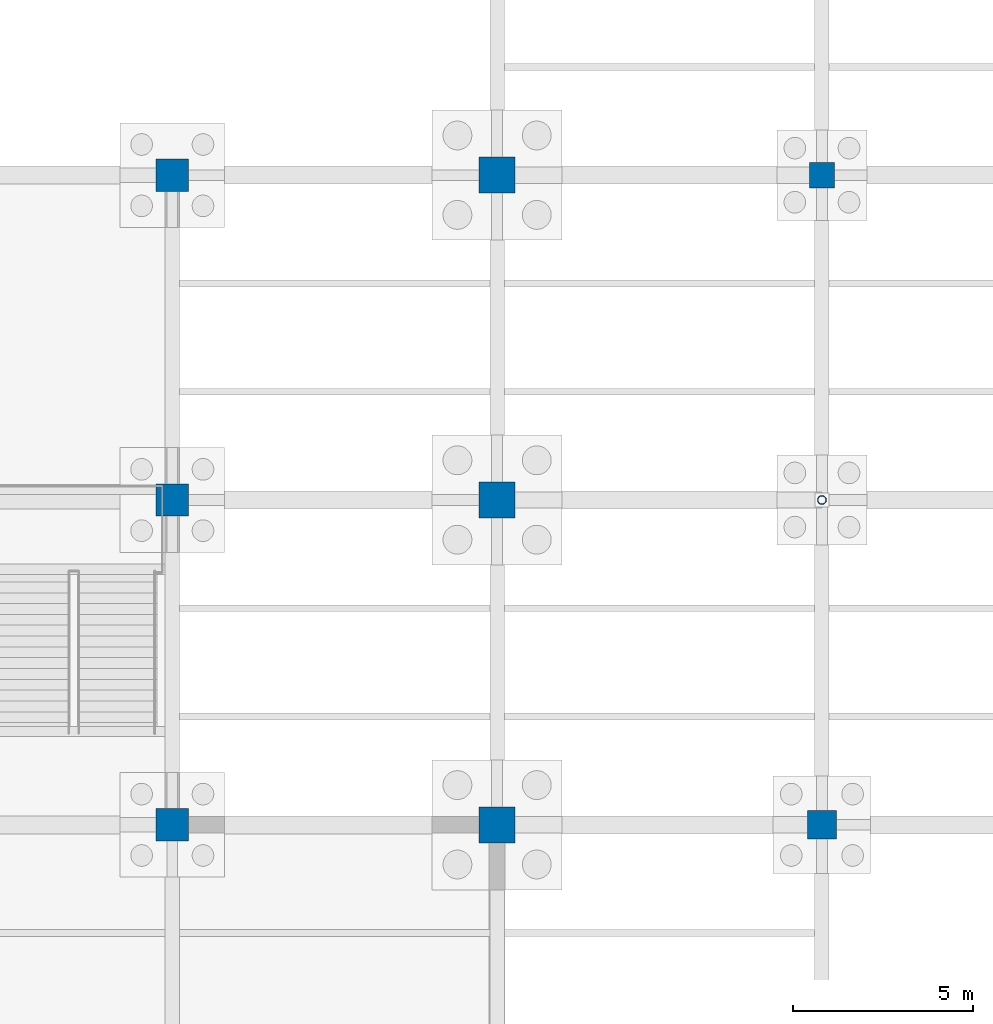
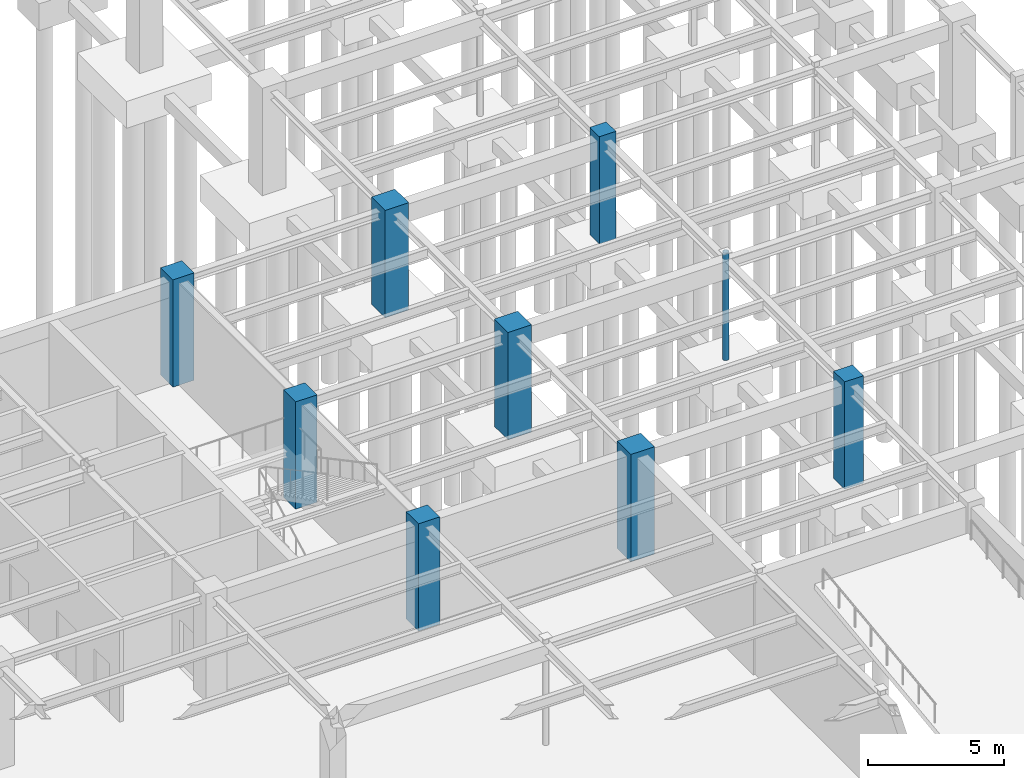
# One storey, part 30 of 49: 9 columns.
"""IFC4 building model written with IfcOpenShell, lengths in metres."""

from ifc_helpers import new_model, si_unit, direction, frame, origin, origin_2d, place, context, subcontext, project, spatial, rectangle, hollow_circle, extrude, material, material_profile, profile_set, type_object, element, save


model = new_model("IFC4")

# Units and contexts
model_context = context("Model", 3, precision=1e-05, world=origin(), true_north=direction((0.0, 1.0)))
body_context = subcontext(model_context, "Body", "Model", "MODEL_VIEW")
ifc_project = project(units=[si_unit("LENGTHUNIT", "METRE"), si_unit("AREAUNIT", "SQUARE_METRE"), si_unit("VOLUMEUNIT", "CUBIC_METRE"), si_unit("PLANEANGLEUNIT", "RADIAN"), si_unit("MASSUNIT", "GRAM", prefix="KILO")], contexts=[model_context])

# Site, building, storey
site_placement = place(None, origin())
site = spatial("IfcSite", under=ifc_project, at=site_placement, CompositionType="ELEMENT")
building_placement = place(site_placement, origin())
building = spatial("IfcBuilding", under=site, at=building_placement, Name="Lykobir Media Centre", CompositionType="ELEMENT")
storey_placement = place(building_placement, frame((0.0, 0.0, -4.800048828125)))
storey = spatial("IfcBuildingStorey", under=building, at=storey_placement, Name="B1", CompositionType="ELEMENT", Elevation=-4.800048828125)

# Columns
ifc_material_1 = material(Name="Concrete C40/50", Category="concrete")
ifc_material_profile_1 = material_profile(ifc_material_1, rectangle(XDim=1.0, YDim=1.0, at=origin_2d()), Name="RC 1000x1000")
ifc_profile_set_1 = profile_set([ifc_material_profile_1], Name="Concrete C40/50")
column_type_1 = type_object("IfcColumnType", Name="RC-C1000", PredefinedType="COLUMN", material=ifc_profile_set_1)
for number, where, z_axis, x_axis, name in (
    (1, (144.0, 72.0, 0.0), (0.0, 0.0, 1.0), (1.0, 0.0, 0.0), "Column COL-B1-1440-0720"),
    (2, (144.0, 81.0, 0.0), (0.0, 0.0, 1.0), (1.0, 0.0, 0.0), "Column COL-B1-1440-0810"),
    (3, (144.0, 90.0, 0.0), (0.0, 0.0, 1.0), (1.0, 0.0, 0.0), "Column COL-B1-1440-0900"),
):
    element("IfcColumn", number, at=place(storey_placement, frame(where, z_axis=z_axis, x_axis=x_axis)), inside=storey, type_object=column_type_1, Name=name, PredefinedType="COLUMN", context=body_context, shape_type="SweptSolid", body=[
        extrude(rectangle(XDim=1.0, YDim=1.0, at=origin_2d()), origin(), (0.0, 0.0, 1.0), 4.800048828125),
    ])
ifc_material_profile_2 = material_profile(ifc_material_1, rectangle(XDim=0.699951171875, YDim=0.699951171875, at=origin_2d()), Name="RC 700x700")
ifc_profile_set_2 = profile_set([ifc_material_profile_2], Name="Concrete C40/50")
column_type_2 = type_object("IfcColumnType", Name="RC-C700", PredefinedType="COLUMN", material=ifc_profile_set_2)
column_1_placement = place(storey_placement, frame((153.0, 90.0, 0.0), z_axis=(0.0, 0.0, 1.0), x_axis=(1.0, 0.0, 0.0)))
element("IfcColumn", 4, at=column_1_placement, inside=storey, type_object=column_type_2, Name="Column COL-B1-1530-0900", PredefinedType="COLUMN", context=body_context, shape_type="SweptSolid", body=[
    extrude(rectangle(XDim=0.699951171875, YDim=0.699951171875, at=origin_2d()), origin(), (0.0, 0.0, 1.0), 4.800048828125),
])
ifc_material_profile_3 = material_profile(ifc_material_1, rectangle(XDim=0.800048828125, YDim=0.800048828125, at=origin_2d()), Name="RC 800x800")
ifc_profile_set_3 = profile_set([ifc_material_profile_3], Name="Concrete C40/50")
column_type_3 = type_object("IfcColumnType", Name="RC-C800", PredefinedType="COLUMN", material=ifc_profile_set_3)
column_2_placement = place(storey_placement, frame((153.0, 72.0, 0.0), z_axis=(0.0, 0.0, 1.0), x_axis=(1.0, 0.0, 0.0)))
element("IfcColumn", 5, at=column_2_placement, inside=storey, type_object=column_type_3, Name="Column COL-B1-1530-0720", PredefinedType="COLUMN", context=body_context, shape_type="SweptSolid", body=[
    extrude(rectangle(XDim=0.800048828125, YDim=0.800048828125, at=origin_2d()), origin(), (0.0, 0.0, 1.0), 4.800048828125),
])
ifc_material_profile_4 = material_profile(ifc_material_1, rectangle(XDim=0.89990234375, YDim=0.89990234375, at=origin_2d()), Name="RC 900x900")
ifc_profile_set_4 = profile_set([ifc_material_profile_4], Name="Concrete C40/50")
column_type_4 = type_object("IfcColumnType", Name="RC-C900", PredefinedType="COLUMN", material=ifc_profile_set_4)
for number, where, z_axis, x_axis, name in (
    (6, (135.0, 72.0, 0.0), (0.0, 0.0, 1.0), (1.0, 0.0, 0.0), "Column COL-B1-1350-0720"),
    (7, (135.0, 81.0, 0.0), (0.0, 0.0, 1.0), (1.0, 0.0, 0.0), "Column COL-B1-1350-0810"),
    (8, (135.0, 90.0, 0.0), (0.0, 0.0, 1.0), (1.0, 0.0, 0.0), "Column COL-B1-1350-0900"),
):
    element("IfcColumn", number, at=place(storey_placement, frame(where, z_axis=z_axis, x_axis=x_axis)), inside=storey, type_object=column_type_4, Name=name, PredefinedType="COLUMN", context=body_context, shape_type="SweptSolid", body=[
        extrude(rectangle(XDim=0.89990234375, YDim=0.89990234375, at=origin_2d()), origin(), (0.0, 0.0, 1.0), 4.800048828125),
    ])
ifc_material_2 = material(Name="Steel S355", Category="steel")
ifc_material_profile_5 = material_profile(ifc_material_2, hollow_circle(Radius=0.122314453125, WallThickness=0.012451171875, at=origin_2d()), Name="CHS 244.5x12.5")
ifc_profile_set_5 = profile_set([ifc_material_profile_5], Name="Steel S355")
column_type_5 = type_object("IfcColumnType", Name="SC-CHS244", PredefinedType="COLUMN", material=ifc_profile_set_5)
column_3_placement = place(storey_placement, frame((153.0, 81.0, 0.0), z_axis=(0.0, 0.0, 1.0), x_axis=(1.0, 0.0, 0.0)))
element("IfcColumn", 9, at=column_3_placement, inside=storey, type_object=column_type_5, Name="Column COL-B1-1530-0810", PredefinedType="COLUMN", context=body_context, shape_type="SweptSolid", body=[
    extrude(hollow_circle(Radius=0.122314453125, WallThickness=0.012451171875, at=origin_2d()), origin(), (0.0, 0.0, 1.0), 4.800048828125),
])

save(model, "model.ifc")
